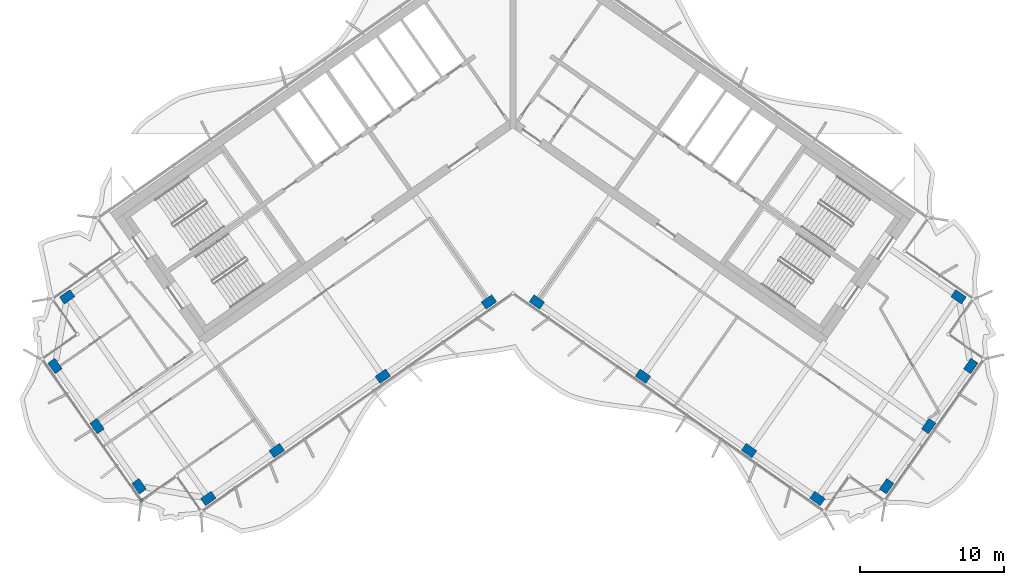
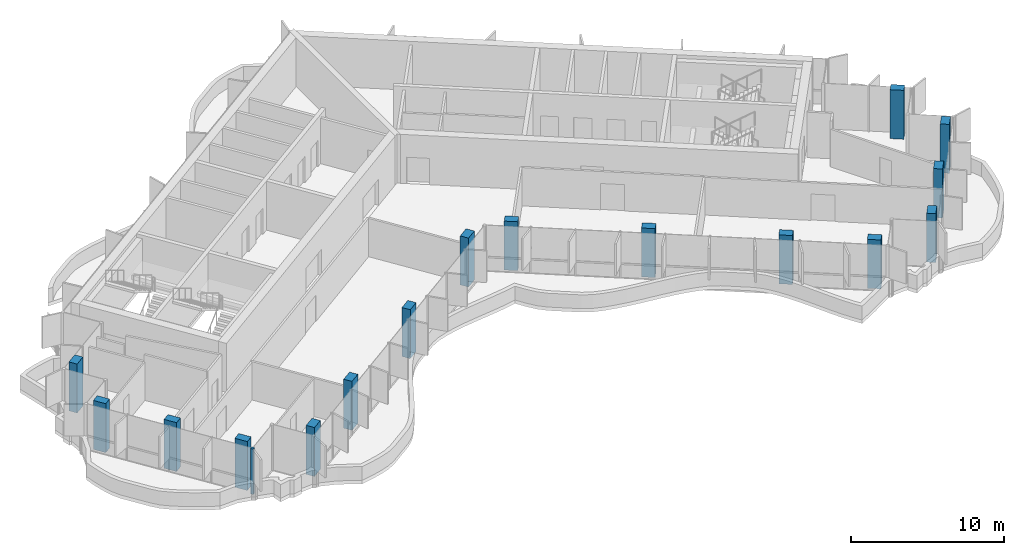
# One storey, part 1 of 19: 16 columns, 1 member, 1 element without a shape of its own.
"""IFC4 building model written with IfcOpenShell, lengths in metres."""

from ifc_helpers import new_model, si_unit, direction, frame, origin, origin_2d, place, context, subcontext, project, spatial, rectangle, extrude, material, material_profile, profile_set, type_object, element, aggregate, save


model = new_model("IFC4")

# Units and contexts
model_context = context("Model", 3, precision=1e-05, world=origin(), true_north=direction((0.0, 1.0)))
body_context = subcontext(model_context, "Body", "Model", "MODEL_VIEW")
ifc_project = project(units=[si_unit("LENGTHUNIT", "METRE"), si_unit("AREAUNIT", "SQUARE_METRE"), si_unit("VOLUMEUNIT", "CUBIC_METRE"), si_unit("PLANEANGLEUNIT", "RADIAN"), si_unit("MASSUNIT", "GRAM", prefix="KILO")], contexts=[model_context])

# Site, building, storey
site_placement = place(None, origin())
site = spatial("IfcSite", under=ifc_project, at=site_placement, CompositionType="ELEMENT")
building_placement = place(site_placement, origin())
building = spatial("IfcBuilding", under=site, at=building_placement, Name="Tel Ilan Convention Tower", CompositionType="ELEMENT")
storey_placement = place(building_placement, frame((0.0, 0.0, 241.0)))
storey = spatial("IfcBuildingStorey", under=building, at=storey_placement, Name="L56", CompositionType="ELEMENT", Elevation=241.0)

# Columns
ifc_material_1 = material(Name="Concrete C40/50", Category="concrete")
ifc_material_profile_1 = material_profile(ifc_material_1, rectangle(XDim=0.89990234375, YDim=0.60009765625, at=origin_2d()), Name="RC 600x900")
ifc_profile_set_1 = profile_set([ifc_material_profile_1], Name="Concrete C40/50")
column_type = type_object("IfcColumnType", Name="Column RC 600x900 C40/50", PredefinedType="COLUMN", material=ifc_profile_set_1)
for number, where, z_axis, x_axis, name in (
    (1, (-1.665283203125, -13.312744140625, 0.0), (0.0, 0.0, 1.0), (-0.819152044289, -0.573576436351, 0.0), "L56 column W-F1"),
    (2, (-9.03759765625, -18.474853515625, 0.0), (0.0, 0.0, 1.0), (-0.819152044289, -0.573576436351, 0.0), "L56 column W-F2"),
    (3, (-16.409912109375, -23.63720703125, 0.0), (0.0, 0.0, 1.0), (-0.819152044289, -0.573576436351, 0.0), "L56 column W-F3"),
    (4, (-21.1611328125, -26.9638671875, 0.0), (0.0, 0.0, 1.0), (-0.819152044289, -0.573576436351, 0.0), "L56 column W-FC"),
    (5, (-30.96923828125, -12.956298828125, 0.0), (0.0, 0.0, 1.0), (-0.819152044289, -0.573576436351, 0.0), "L56 column W-BC"),
    (6, (-25.966064453125, -26.11669921875, 0.0), (0.0, 0.0, 1.0), (-0.573576436351, 0.819152044289, 0.0), "L56 column W-E1"),
    (7, (-28.891357421875, -21.93896484375, 0.0), (0.0, 0.0, 1.0), (-0.573576436351, 0.819152044289, 0.0), "L56 column W-E2"),
    (8, (-31.81640625, -17.76123046875, 0.0), (0.0, 0.0, 1.0), (-0.573576436351, 0.819152044289, 0.0), "L56 column W-E3"),
    (9, (1.665283203125, -13.312744140625, 0.0), (0.0, 0.0, 1.0), (0.819152044289, -0.573576436351, 0.0), "L56 column E-F1"),
    (10, (9.03759765625, -18.474853515625, 0.0), (0.0, 0.0, 1.0), (0.819152044289, -0.573576436351, 0.0), "L56 column E-F2"),
    (11, (16.409912109375, -23.63720703125, 0.0), (0.0, 0.0, 1.0), (0.819152044289, -0.573576436351, 0.0), "L56 column E-F3"),
    (12, (21.1611328125, -26.9638671875, 0.0), (0.0, 0.0, 1.0), (0.819152044289, -0.573576436351, 0.0), "L56 column E-FC"),
    (13, (30.96923828125, -12.956298828125, 0.0), (0.0, 0.0, 1.0), (0.819152044289, -0.573576436351, 0.0), "L56 column E-BC"),
    (14, (25.966064453125, -26.11669921875, 0.0), (0.0, 0.0, 1.0), (0.573576436351, 0.819152044289, 0.0), "L56 column E-E1"),
    (15, (28.891357421875, -21.93896484375, 0.0), (0.0, 0.0, 1.0), (0.573576436351, 0.819152044289, 0.0), "L56 column E-E2"),
    (16, (31.81640625, -17.76123046875, 0.0), (0.0, 0.0, 1.0), (0.573576436351, 0.819152044289, 0.0), "L56 column E-E3"),
):
    element("IfcColumn", number, at=place(storey_placement, frame(where, z_axis=z_axis, x_axis=x_axis)), inside=storey, type_object=column_type, Name=name, PredefinedType="COLUMN", context=body_context, shape_type="SweptSolid", body=[
        extrude(rectangle(XDim=0.89990234375, YDim=0.60009765625, at=origin_2d()), origin(), (0.0, 0.0, 1.0), 3.89990234375),
    ])

# Curtain wall, member
ifc_material_2 = material(Name="Aluminium, bronze anodised", Category="aluminium")
curtain_wall_type = type_object("IfcCurtainWallType", Name="CW5 STICK CURTAIN WALL, UPPER OFFICE LOW-IRON TINTED GLASS", PredefinedType="NOTDEFINED", material=ifc_material_2)
curtain_wall_placement = place(storey_placement, origin())
curtain_wall = element("IfcCurtainWall", 17, at=curtain_wall_placement, inside=storey, type_object=curtain_wall_type, Name="Curtain wall CW5-43.02", PredefinedType="NOTDEFINED")
ifc_material_3 = material(Name="Aluminium, bronze anodised", Category="aluminium")
ifc_material_profile_2 = material_profile(ifc_material_3, rectangle(XDim=0.199951171875, YDim=0.199951171875, at=origin_2d()), Name="CW CORNER MULLION 200x200")
ifc_profile_set_2 = profile_set([ifc_material_profile_2], Name="Aluminium, bronze anodised")
member_type = type_object("IfcMemberType", Name="CW CORNER MULLION 200x200", PredefinedType="MULLION", material=ifc_profile_set_2)
member_placement = place(storey_placement, frame((-25.818359375, -27.112060546875, 0.0), z_axis=(0.0, 0.0, 1.0), x_axis=(0.573576436351, -0.819152044289, 0.0)))
member = element("IfcMember", 18, at=member_placement, type_object=member_type, Name="Corner mullion", PredefinedType="MULLION", context=body_context, shape_type="SweptSolid", body=[
    extrude(rectangle(XDim=0.199951171875, YDim=0.199951171875, at=origin_2d()), origin(), (0.0, 0.0, 1.0), 3.6201171875),
])
aggregate(curtain_wall, [member])

save(model, "model.ifc")
